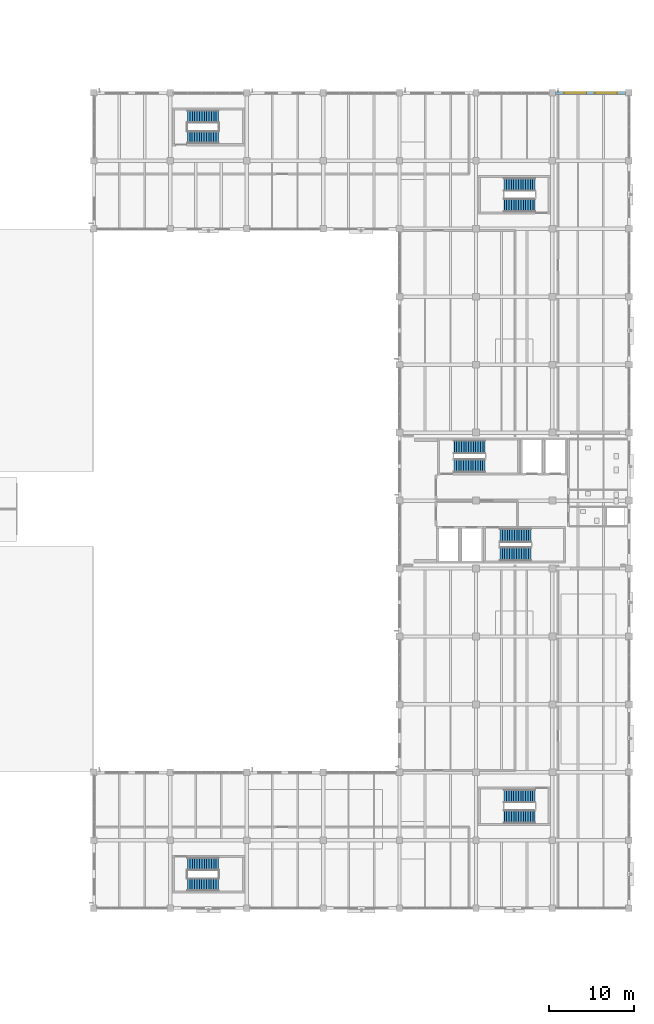
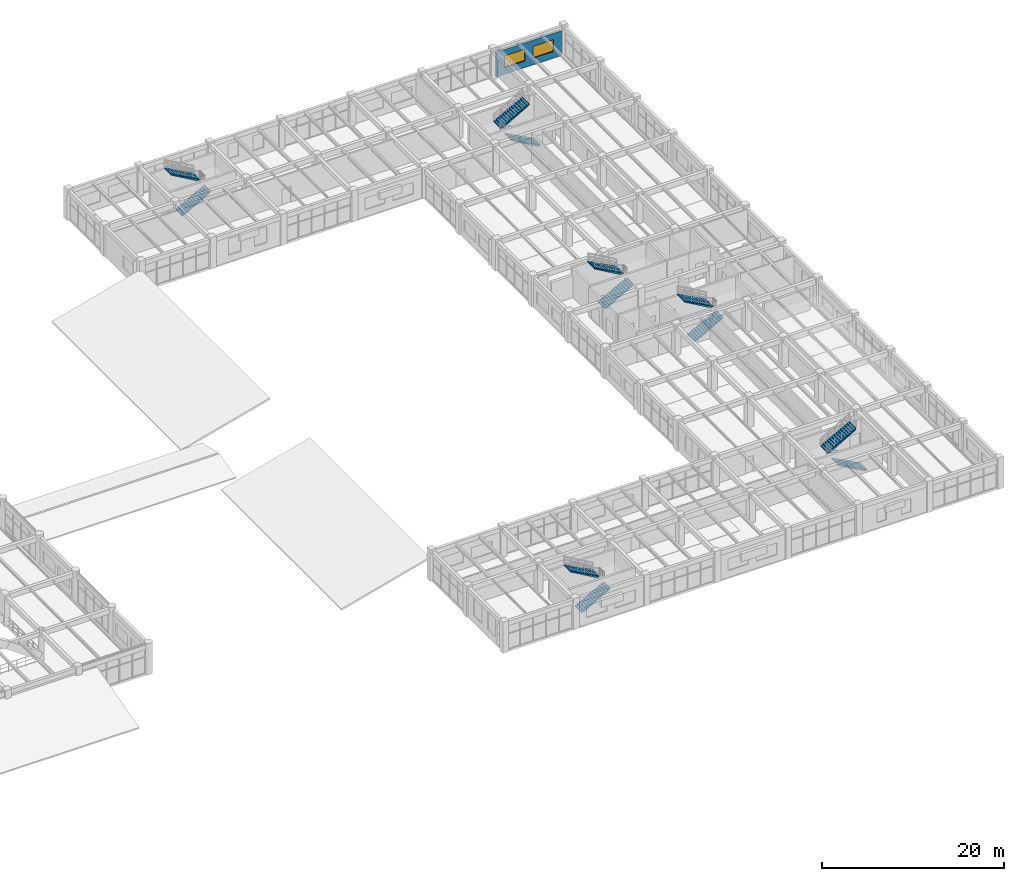
# One storey, part 131 of 148: 12 stair flights, 2 windows, 1 wall, 2 openings, 6 elements without a shape of their own.
"""IFC4 building model written with IfcOpenShell, lengths in metres."""

from ifc_helpers import new_model, si_unit, derived_unit, direction, frame, frame_2d, origin, place, context, subcontext, project, spatial, polyline, rectangle, outline, extrude, material, layer, layer_set, type_object, element, fill, aggregate, save


model = new_model("IFC4")

# Units and contexts
model_context = context("Model", 3, precision=1e-05, world=origin(), true_north=direction((0.0, 1.0)))
body_context = subcontext(model_context, "Body", "Model", "MODEL_VIEW")
ifc_project = project(units=[si_unit("LENGTHUNIT", "METRE"), si_unit("AREAUNIT", "SQUARE_METRE"), si_unit("VOLUMEUNIT", "CUBIC_METRE"), si_unit("PLANEANGLEUNIT", "RADIAN"), si_unit("MASSUNIT", "GRAM", prefix="KILO"), derived_unit("THERMALTRANSMITTANCEUNIT", [(si_unit("MASSUNIT", "GRAM", prefix="KILO"), 1), (si_unit("TIMEUNIT", "SECOND"), -3), (si_unit("THERMODYNAMICTEMPERATUREUNIT", "KELVIN"), -1)])], contexts=[model_context])

# Site, building, storey
site_placement = place(None, origin())
site = spatial("IfcSite", under=ifc_project, at=site_placement, CompositionType="ELEMENT")
building_placement = place(site_placement, origin())
building = spatial("IfcBuilding", under=site, at=building_placement, Name="Zhenchuan Archway Interchange", CompositionType="ELEMENT")
storey_placement = place(building_placement, frame((0.0, 0.0, 10.199951171875)))
storey = spatial("IfcBuildingStorey", under=building, at=storey_placement, Name="L02", CompositionType="ELEMENT", Elevation=10.199951171875)

# Wall, openings, windows
ifc_material_1 = material(Name="Granite Stone Cladding", Category="masonry")
ifc_layer = layer(ifc_material_1, 0.320068359375)
ifc_layer_set = layer_set([ifc_layer], Name="Granite Stone Cladding")
wall_type = type_object("IfcWallType", Name="EW_GRANITE_320", PredefinedType="STANDARD", material=ifc_layer_set)
wall_placement = place(storey_placement, frame((162.373046875, 104.0, 0.0), z_axis=(0.0, 0.0, 1.0), x_axis=(1.0, 0.0, 0.0)))
wall = element("IfcWall", 1, at=wall_placement, inside=storey, type_object=wall_type, Name="Exterior wall L02-085", PredefinedType="STANDARD", context=body_context, shape_type="SweptSolid", body=[
    extrude(rectangle(XDim=8.25390625, YDim=0.320068359375, at=frame_2d((4.126953125, 0.0))), origin(), (0.0, 0.0, 1.0), 3.320068359375),
])
opening_1_placement = place(wall_placement, frame((1.01806640625, 0.0, 0.89990234375)))
opening_1 = element("IfcOpeningElement", 2, at=opening_1_placement, cuts=wall, Name="Opening W-09", PredefinedType="OPENING", context=body_context, shape_type="SweptSolid", body=[
    extrude(rectangle(XDim=2.60009765625, YDim=1.60009765625, at=frame_2d((1.300048828125, 0.800048828125))), frame((0.0, 0.171875, 0.0), z_axis=(0.0, -1.0, 0.0), x_axis=(1.0, 0.0, 0.0)), (0.0, 0.0, 1.0), 0.343994140625),
])
opening_2_placement = place(wall_placement, frame((4.635986328125, 0.0, 0.89990234375)))
opening_2 = element("IfcOpeningElement", 3, at=opening_2_placement, cuts=wall, Name="Opening W-09", PredefinedType="OPENING", context=body_context, shape_type="SweptSolid", body=[
    extrude(rectangle(XDim=2.60009765625, YDim=1.60009765625, at=frame_2d((1.300048828125, 0.800048828125))), frame((0.0, 0.171875, 0.0), z_axis=(0.0, -1.0, 0.0), x_axis=(1.0, 0.0, 0.0)), (0.0, 0.0, 1.0), 0.343994140625),
])
ifc_material_2 = material(Name="Double Low-E Insulated Glazing", Category="glass")
window_type = type_object("IfcWindowType", Name="WN_MOD_2600x1600", PartitioningType="SINGLE_PANEL", PredefinedType="WINDOW", material=ifc_material_2)
window_1_placement = place(opening_1_placement, origin())
window_1 = element("IfcWindow", 4, at=window_1_placement, inside=storey, type_object=window_type, Name="Window L02-0231", OverallHeight=1.60009765625, OverallWidth=2.60009765625, PartitioningType="SINGLE_PANEL", PredefinedType="WINDOW", context=body_context, shape_type="SweptSolid", body=[
    extrude(rectangle(XDim=2.60009765625, YDim=1.60009765625, at=frame_2d((1.300048828125, 0.800048828125))), frame((0.0, 0.030029296875, 0.0), z_axis=(0.0, -1.0, 0.0), x_axis=(1.0, 0.0, 0.0)), (0.0, 0.0, 1.0), 0.06005859375),
])
fill(opening_1, window_1)
window_2_placement = place(opening_2_placement, origin())
window_2 = element("IfcWindow", 5, at=window_2_placement, inside=storey, type_object=window_type, Name="Window L02-0232", OverallHeight=1.60009765625, OverallWidth=2.60009765625, PartitioningType="SINGLE_PANEL", PredefinedType="WINDOW", context=body_context, shape_type="SweptSolid", body=[
    extrude(rectangle(XDim=2.60009765625, YDim=1.60009765625, at=frame_2d((1.300048828125, 0.800048828125))), frame((0.0, 0.030029296875, 0.0), z_axis=(0.0, -1.0, 0.0), x_axis=(1.0, 0.0, 0.0)), (0.0, 0.0, 1.0), 0.06005859375),
])
fill(opening_2, window_2)

# Stair, stair flights
ifc_material_3 = material(Name="Concrete C35", Category="concrete")
stair_type_1 = type_object("IfcStairType", Name="STR_HALF_1450", PredefinedType="HALF_TURN_STAIR", material=ifc_material_3)
stair_1_placement = place(storey_placement, origin())
stair_1 = element("IfcStair", 6, at=stair_1_placement, inside=storey, type_object=stair_type_1, Name="Stair ST-O5 (L02)", PredefinedType="HALF_TURN_STAIR")
stair_flight_type_1 = type_object("IfcStairFlightType", Name="SFL_1450", PredefinedType="STRAIGHT", material=ifc_material_3)
stair_flight_1_placement = place(storey_placement, frame((119.0244140625, 10.7900390625, 0.0), z_axis=(0.0, 0.0, 1.0), x_axis=(1.0, 0.0, 0.0)))
stair_flight_1 = element("IfcStairFlight", 7, at=stair_flight_1_placement, type_object=stair_flight_type_1, Name="Stair ST-O5 lower flight (L02)", NumberOfRisers=14, NumberOfTreads=13, PredefinedType="STRAIGHT", RiserHeight=0.15, TreadLength=0.28, context=body_context, shape_type="SweptSolid", body=[
    extrude(outline(polyline([(0.0, 0.0), (0.0, 0.14990234375), (0.280029296875, 0.14990234375), (0.280029296875, 0.300048828125), (0.56005859375, 0.300048828125), (0.56005859375, 0.449951171875), (0.840087890625, 0.449951171875), (0.840087890625, 0.60009765625), (1.1201171875, 0.60009765625), (1.1201171875, 0.75), (1.39990234375, 0.75), (1.39990234375, 0.89990234375), (1.679931640625, 0.89990234375), (1.679931640625, 1.050048828125), (1.9599609375, 1.050048828125), (1.9599609375, 1.199951171875), (2.239990234375, 1.199951171875), (2.239990234375, 1.35009765625), (2.52001953125, 1.35009765625), (2.52001953125, 1.5), (2.800048828125, 1.5), (2.800048828125, 1.64990234375), (3.080078125, 1.64990234375), (3.080078125, 1.800048828125), (3.360107421875, 1.800048828125), (3.360107421875, 1.949951171875), (3.639892578125, 1.949951171875), (3.639892578125, 2.10009765625), (3.6611328125, 2.10009765625), (3.6611328125, 1.89599609375), (0.381103515625, 0.0), (0.0, 0.0)])), frame((0.0, 0.72509765625, 0.0), z_axis=(0.0, -1.0, 0.0), x_axis=(1.0, 0.0, 0.0)), (0.0, 0.0, 1.0), 1.449951171875),
])
stair_flight_2_placement = place(storey_placement, frame((122.685546875, 13.2099609375, 2.10009765625), z_axis=(0.0, 0.0, 1.0), x_axis=(-1.0, 0.0, 0.0)))
stair_flight_2 = element("IfcStairFlight", 8, at=stair_flight_2_placement, type_object=stair_flight_type_1, Name="Stair ST-O5 upper flight (L02)", NumberOfRisers=14, NumberOfTreads=13, PredefinedType="STRAIGHT", RiserHeight=0.15, TreadLength=0.28, context=body_context, shape_type="SweptSolid", body=[
    extrude(outline(polyline([(0.0, 0.0), (0.0, 0.14990234375), (0.280029296875, 0.14990234375), (0.280029296875, 0.300048828125), (0.56005859375, 0.300048828125), (0.56005859375, 0.449951171875), (0.840087890625, 0.449951171875), (0.840087890625, 0.60009765625), (1.1201171875, 0.60009765625), (1.1201171875, 0.75), (1.39990234375, 0.75), (1.39990234375, 0.89990234375), (1.679931640625, 0.89990234375), (1.679931640625, 1.050048828125), (1.9599609375, 1.050048828125), (1.9599609375, 1.199951171875), (2.239990234375, 1.199951171875), (2.239990234375, 1.35009765625), (2.52001953125, 1.35009765625), (2.52001953125, 1.5), (2.800048828125, 1.5), (2.800048828125, 1.64990234375), (3.080078125, 1.64990234375), (3.080078125, 1.800048828125), (3.360107421875, 1.800048828125), (3.360107421875, 1.949951171875), (3.639892578125, 1.949951171875), (3.639892578125, 2.10009765625), (3.6611328125, 2.10009765625), (3.6611328125, 1.89599609375), (0.381103515625, 0.0), (0.0, 0.0)])), frame((0.0, 0.72509765625, 0.0), z_axis=(0.0, -1.0, 0.0), x_axis=(1.0, 0.0, 0.0)), (0.0, 0.0, 1.0), 1.449951171875),
])
aggregate(stair_1, [stair_flight_1, stair_flight_2])

stair_2_placement = place(storey_placement, origin())
stair_2 = element("IfcStair", 9, at=stair_2_placement, inside=storey, type_object=stair_type_1, Name="Stair ST-O6 (L02)", PredefinedType="HALF_TURN_STAIR")
stair_flight_3_placement = place(storey_placement, frame((119.0244140625, 98.7900390625, 0.0), z_axis=(0.0, 0.0, 1.0), x_axis=(1.0, 0.0, 0.0)))
stair_flight_3 = element("IfcStairFlight", 10, at=stair_flight_3_placement, type_object=stair_flight_type_1, Name="Stair ST-O6 lower flight (L02)", NumberOfRisers=14, NumberOfTreads=13, PredefinedType="STRAIGHT", RiserHeight=0.15, TreadLength=0.28, context=body_context, shape_type="SweptSolid", body=[
    extrude(outline(polyline([(0.0, 0.0), (0.0, 0.14990234375), (0.280029296875, 0.14990234375), (0.280029296875, 0.300048828125), (0.56005859375, 0.300048828125), (0.56005859375, 0.449951171875), (0.840087890625, 0.449951171875), (0.840087890625, 0.60009765625), (1.1201171875, 0.60009765625), (1.1201171875, 0.75), (1.39990234375, 0.75), (1.39990234375, 0.89990234375), (1.679931640625, 0.89990234375), (1.679931640625, 1.050048828125), (1.9599609375, 1.050048828125), (1.9599609375, 1.199951171875), (2.239990234375, 1.199951171875), (2.239990234375, 1.35009765625), (2.52001953125, 1.35009765625), (2.52001953125, 1.5), (2.800048828125, 1.5), (2.800048828125, 1.64990234375), (3.080078125, 1.64990234375), (3.080078125, 1.800048828125), (3.360107421875, 1.800048828125), (3.360107421875, 1.949951171875), (3.639892578125, 1.949951171875), (3.639892578125, 2.10009765625), (3.6611328125, 2.10009765625), (3.6611328125, 1.89599609375), (0.381103515625, 0.0), (0.0, 0.0)])), frame((0.0, 0.72509765625, 0.0), z_axis=(0.0, -1.0, 0.0), x_axis=(1.0, 0.0, 0.0)), (0.0, 0.0, 1.0), 1.449951171875),
])
stair_flight_4_placement = place(storey_placement, frame((122.685546875, 101.2099609375, 2.10009765625), z_axis=(0.0, 0.0, 1.0), x_axis=(-1.0, 0.0, 0.0)))
stair_flight_4 = element("IfcStairFlight", 11, at=stair_flight_4_placement, type_object=stair_flight_type_1, Name="Stair ST-O6 upper flight (L02)", NumberOfRisers=14, NumberOfTreads=13, PredefinedType="STRAIGHT", RiserHeight=0.15, TreadLength=0.28, context=body_context, shape_type="SweptSolid", body=[
    extrude(outline(polyline([(0.0, 0.0), (0.0, 0.14990234375), (0.280029296875, 0.14990234375), (0.280029296875, 0.300048828125), (0.56005859375, 0.300048828125), (0.56005859375, 0.449951171875), (0.840087890625, 0.449951171875), (0.840087890625, 0.60009765625), (1.1201171875, 0.60009765625), (1.1201171875, 0.75), (1.39990234375, 0.75), (1.39990234375, 0.89990234375), (1.679931640625, 0.89990234375), (1.679931640625, 1.050048828125), (1.9599609375, 1.050048828125), (1.9599609375, 1.199951171875), (2.239990234375, 1.199951171875), (2.239990234375, 1.35009765625), (2.52001953125, 1.35009765625), (2.52001953125, 1.5), (2.800048828125, 1.5), (2.800048828125, 1.64990234375), (3.080078125, 1.64990234375), (3.080078125, 1.800048828125), (3.360107421875, 1.800048828125), (3.360107421875, 1.949951171875), (3.639892578125, 1.949951171875), (3.639892578125, 2.10009765625), (3.6611328125, 2.10009765625), (3.6611328125, 1.89599609375), (0.381103515625, 0.0), (0.0, 0.0)])), frame((0.0, 0.72509765625, 0.0), z_axis=(0.0, -1.0, 0.0), x_axis=(1.0, 0.0, 0.0)), (0.0, 0.0, 1.0), 1.449951171875),
])
aggregate(stair_2, [stair_flight_3, stair_flight_4])

stair_type_2 = type_object("IfcStairType", Name="STR_HALF_1550", PredefinedType="HALF_TURN_STAIR", material=ifc_material_3)
stair_3_placement = place(storey_placement, origin())
stair_3 = element("IfcStair", 12, at=stair_3_placement, inside=storey, type_object=stair_type_2, Name="Stair ST-O1 (L02)", PredefinedType="HALF_TURN_STAIR")
stair_flight_type_2 = type_object("IfcStairFlightType", Name="SFL_1550", PredefinedType="STRAIGHT", material=ifc_material_3)
stair_flight_5_placement = place(storey_placement, frame((150.42431640625, 60.090087890625, 0.0), z_axis=(0.0, 0.0, 1.0), x_axis=(1.0, 0.0, 0.0)))
stair_flight_5 = element("IfcStairFlight", 13, at=stair_flight_5_placement, type_object=stair_flight_type_2, Name="Stair ST-O1 lower flight (L02)", NumberOfRisers=14, NumberOfTreads=13, PredefinedType="STRAIGHT", RiserHeight=0.15, TreadLength=0.28, context=body_context, shape_type="SweptSolid", body=[
    extrude(outline(polyline([(0.0, 0.0), (0.0, 0.14990234375), (0.280029296875, 0.14990234375), (0.280029296875, 0.300048828125), (0.56005859375, 0.300048828125), (0.56005859375, 0.449951171875), (0.840087890625, 0.449951171875), (0.840087890625, 0.60009765625), (1.1201171875, 0.60009765625), (1.1201171875, 0.75), (1.39990234375, 0.75), (1.39990234375, 0.89990234375), (1.679931640625, 0.89990234375), (1.679931640625, 1.050048828125), (1.9599609375, 1.050048828125), (1.9599609375, 1.199951171875), (2.239990234375, 1.199951171875), (2.239990234375, 1.35009765625), (2.52001953125, 1.35009765625), (2.52001953125, 1.5), (2.800048828125, 1.5), (2.800048828125, 1.64990234375), (3.080078125, 1.64990234375), (3.080078125, 1.800048828125), (3.360107421875, 1.800048828125), (3.360107421875, 1.949951171875), (3.639892578125, 1.949951171875), (3.639892578125, 2.10009765625), (3.6611328125, 2.10009765625), (3.6611328125, 1.89599609375), (0.381103515625, 0.0), (0.0, 0.0)])), frame((0.0, 0.77490234375, 0.0), z_axis=(0.0, -1.0, 0.0), x_axis=(1.0, 0.0, 0.0)), (0.0, 0.0, 1.0), 1.550048828125),
])
stair_flight_6_placement = place(storey_placement, frame((154.085693359375, 62.31005859375, 2.10009765625), z_axis=(0.0, 0.0, 1.0), x_axis=(-1.0, 0.0, 0.0)))
stair_flight_6 = element("IfcStairFlight", 14, at=stair_flight_6_placement, type_object=stair_flight_type_2, Name="Stair ST-O1 upper flight (L02)", NumberOfRisers=14, NumberOfTreads=13, PredefinedType="STRAIGHT", RiserHeight=0.15, TreadLength=0.28, context=body_context, shape_type="SweptSolid", body=[
    extrude(outline(polyline([(0.0, 0.0), (0.0, 0.14990234375), (0.280029296875, 0.14990234375), (0.280029296875, 0.300048828125), (0.56005859375, 0.300048828125), (0.56005859375, 0.449951171875), (0.840087890625, 0.449951171875), (0.840087890625, 0.60009765625), (1.1201171875, 0.60009765625), (1.1201171875, 0.75), (1.39990234375, 0.75), (1.39990234375, 0.89990234375), (1.679931640625, 0.89990234375), (1.679931640625, 1.050048828125), (1.9599609375, 1.050048828125), (1.9599609375, 1.199951171875), (2.239990234375, 1.199951171875), (2.239990234375, 1.35009765625), (2.52001953125, 1.35009765625), (2.52001953125, 1.5), (2.800048828125, 1.5), (2.800048828125, 1.64990234375), (3.080078125, 1.64990234375), (3.080078125, 1.800048828125), (3.360107421875, 1.800048828125), (3.360107421875, 1.949951171875), (3.639892578125, 1.949951171875), (3.639892578125, 2.10009765625), (3.6611328125, 2.10009765625), (3.6611328125, 1.89599609375), (0.381103515625, 0.0), (0.0, 0.0)])), frame((0.0, 0.77490234375, 0.0), z_axis=(0.0, -1.0, 0.0), x_axis=(1.0, 0.0, 0.0)), (0.0, 0.0, 1.0), 1.550048828125),
])
aggregate(stair_3, [stair_flight_5, stair_flight_6])

stair_4_placement = place(storey_placement, origin())
stair_4 = element("IfcStair", 15, at=stair_4_placement, inside=storey, type_object=stair_type_2, Name="Stair ST-O3 (L02)", PredefinedType="HALF_TURN_STAIR")
stair_flight_7_placement = place(storey_placement, frame((159.9755859375, 90.7900390625, 0.0), z_axis=(0.0, 0.0, 1.0), x_axis=(-1.0, 0.0, 0.0)))
stair_flight_7 = element("IfcStairFlight", 16, at=stair_flight_7_placement, type_object=stair_flight_type_2, Name="Stair ST-O3 lower flight (L02)", NumberOfRisers=14, NumberOfTreads=13, PredefinedType="STRAIGHT", RiserHeight=0.15, TreadLength=0.28, context=body_context, shape_type="SweptSolid", body=[
    extrude(outline(polyline([(0.0, 0.0), (0.0, 0.14990234375), (0.280029296875, 0.14990234375), (0.280029296875, 0.300048828125), (0.56005859375, 0.300048828125), (0.56005859375, 0.449951171875), (0.840087890625, 0.449951171875), (0.840087890625, 0.60009765625), (1.1201171875, 0.60009765625), (1.1201171875, 0.75), (1.39990234375, 0.75), (1.39990234375, 0.89990234375), (1.679931640625, 0.89990234375), (1.679931640625, 1.050048828125), (1.9599609375, 1.050048828125), (1.9599609375, 1.199951171875), (2.239990234375, 1.199951171875), (2.239990234375, 1.35009765625), (2.52001953125, 1.35009765625), (2.52001953125, 1.5), (2.800048828125, 1.5), (2.800048828125, 1.64990234375), (3.080078125, 1.64990234375), (3.080078125, 1.800048828125), (3.360107421875, 1.800048828125), (3.360107421875, 1.949951171875), (3.639892578125, 1.949951171875), (3.639892578125, 2.10009765625), (3.6611328125, 2.10009765625), (3.6611328125, 1.89599609375), (0.381103515625, 0.0), (0.0, 0.0)])), frame((0.0, 0.77490234375, 0.0), z_axis=(0.0, -1.0, 0.0), x_axis=(1.0, 0.0, 0.0)), (0.0, 0.0, 1.0), 1.550048828125),
])
stair_flight_8_placement = place(storey_placement, frame((156.314453125, 93.2099609375, 2.10009765625), z_axis=(0.0, 0.0, 1.0), x_axis=(1.0, 0.0, 0.0)))
stair_flight_8 = element("IfcStairFlight", 17, at=stair_flight_8_placement, type_object=stair_flight_type_2, Name="Stair ST-O3 upper flight (L02)", NumberOfRisers=14, NumberOfTreads=13, PredefinedType="STRAIGHT", RiserHeight=0.15, TreadLength=0.28, context=body_context, shape_type="SweptSolid", body=[
    extrude(outline(polyline([(0.0, 0.0), (0.0, 0.14990234375), (0.280029296875, 0.14990234375), (0.280029296875, 0.300048828125), (0.56005859375, 0.300048828125), (0.56005859375, 0.449951171875), (0.840087890625, 0.449951171875), (0.840087890625, 0.60009765625), (1.1201171875, 0.60009765625), (1.1201171875, 0.75), (1.39990234375, 0.75), (1.39990234375, 0.89990234375), (1.679931640625, 0.89990234375), (1.679931640625, 1.050048828125), (1.9599609375, 1.050048828125), (1.9599609375, 1.199951171875), (2.239990234375, 1.199951171875), (2.239990234375, 1.35009765625), (2.52001953125, 1.35009765625), (2.52001953125, 1.5), (2.800048828125, 1.5), (2.800048828125, 1.64990234375), (3.080078125, 1.64990234375), (3.080078125, 1.800048828125), (3.360107421875, 1.800048828125), (3.360107421875, 1.949951171875), (3.639892578125, 1.949951171875), (3.639892578125, 2.10009765625), (3.6611328125, 2.10009765625), (3.6611328125, 1.89599609375), (0.381103515625, 0.0), (0.0, 0.0)])), frame((0.0, 0.77490234375, 0.0), z_axis=(0.0, -1.0, 0.0), x_axis=(1.0, 0.0, 0.0)), (0.0, 0.0, 1.0), 1.550048828125),
])
aggregate(stair_4, [stair_flight_7, stair_flight_8])

stair_5_placement = place(storey_placement, origin())
stair_5 = element("IfcStair", 18, at=stair_5_placement, inside=storey, type_object=stair_type_2, Name="Stair ST-O4 (L02)", PredefinedType="HALF_TURN_STAIR")
stair_flight_9_placement = place(storey_placement, frame((159.9755859375, 18.7900390625, 0.0), z_axis=(0.0, 0.0, 1.0), x_axis=(-1.0, 0.0, 0.0)))
stair_flight_9 = element("IfcStairFlight", 19, at=stair_flight_9_placement, type_object=stair_flight_type_2, Name="Stair ST-O4 lower flight (L02)", NumberOfRisers=14, NumberOfTreads=13, PredefinedType="STRAIGHT", RiserHeight=0.15, TreadLength=0.28, context=body_context, shape_type="SweptSolid", body=[
    extrude(outline(polyline([(0.0, 0.0), (0.0, 0.14990234375), (0.280029296875, 0.14990234375), (0.280029296875, 0.300048828125), (0.56005859375, 0.300048828125), (0.56005859375, 0.449951171875), (0.840087890625, 0.449951171875), (0.840087890625, 0.60009765625), (1.1201171875, 0.60009765625), (1.1201171875, 0.75), (1.39990234375, 0.75), (1.39990234375, 0.89990234375), (1.679931640625, 0.89990234375), (1.679931640625, 1.050048828125), (1.9599609375, 1.050048828125), (1.9599609375, 1.199951171875), (2.239990234375, 1.199951171875), (2.239990234375, 1.35009765625), (2.52001953125, 1.35009765625), (2.52001953125, 1.5), (2.800048828125, 1.5), (2.800048828125, 1.64990234375), (3.080078125, 1.64990234375), (3.080078125, 1.800048828125), (3.360107421875, 1.800048828125), (3.360107421875, 1.949951171875), (3.639892578125, 1.949951171875), (3.639892578125, 2.10009765625), (3.6611328125, 2.10009765625), (3.6611328125, 1.89599609375), (0.381103515625, 0.0), (0.0, 0.0)])), frame((0.0, 0.77490234375, 0.0), z_axis=(0.0, -1.0, 0.0), x_axis=(1.0, 0.0, 0.0)), (0.0, 0.0, 1.0), 1.550048828125),
])
stair_flight_10_placement = place(storey_placement, frame((156.314453125, 21.2099609375, 2.10009765625), z_axis=(0.0, 0.0, 1.0), x_axis=(1.0, 0.0, 0.0)))
stair_flight_10 = element("IfcStairFlight", 20, at=stair_flight_10_placement, type_object=stair_flight_type_2, Name="Stair ST-O4 upper flight (L02)", NumberOfRisers=14, NumberOfTreads=13, PredefinedType="STRAIGHT", RiserHeight=0.15, TreadLength=0.28, context=body_context, shape_type="SweptSolid", body=[
    extrude(outline(polyline([(0.0, 0.0), (0.0, 0.14990234375), (0.280029296875, 0.14990234375), (0.280029296875, 0.300048828125), (0.56005859375, 0.300048828125), (0.56005859375, 0.449951171875), (0.840087890625, 0.449951171875), (0.840087890625, 0.60009765625), (1.1201171875, 0.60009765625), (1.1201171875, 0.75), (1.39990234375, 0.75), (1.39990234375, 0.89990234375), (1.679931640625, 0.89990234375), (1.679931640625, 1.050048828125), (1.9599609375, 1.050048828125), (1.9599609375, 1.199951171875), (2.239990234375, 1.199951171875), (2.239990234375, 1.35009765625), (2.52001953125, 1.35009765625), (2.52001953125, 1.5), (2.800048828125, 1.5), (2.800048828125, 1.64990234375), (3.080078125, 1.64990234375), (3.080078125, 1.800048828125), (3.360107421875, 1.800048828125), (3.360107421875, 1.949951171875), (3.639892578125, 1.949951171875), (3.639892578125, 2.10009765625), (3.6611328125, 2.10009765625), (3.6611328125, 1.89599609375), (0.381103515625, 0.0), (0.0, 0.0)])), frame((0.0, 0.77490234375, 0.0), z_axis=(0.0, -1.0, 0.0), x_axis=(1.0, 0.0, 0.0)), (0.0, 0.0, 1.0), 1.550048828125),
])
aggregate(stair_5, [stair_flight_9, stair_flight_10])

stair_type_3 = type_object("IfcStairType", Name="STR_HALF_1600", PredefinedType="HALF_TURN_STAIR", material=ifc_material_3)
stair_6_placement = place(storey_placement, origin())
stair_6 = element("IfcStair", 21, at=stair_6_placement, inside=storey, type_object=stair_type_3, Name="Stair ST-O2 (L02)", PredefinedType="HALF_TURN_STAIR")
stair_flight_type_3 = type_object("IfcStairFlightType", Name="SFL_1600", PredefinedType="STRAIGHT", material=ifc_material_3)
stair_flight_11_placement = place(storey_placement, frame((155.824462890625, 49.715087890625, 0.0), z_axis=(0.0, 0.0, 1.0), x_axis=(1.0, 0.0, 0.0)))
stair_flight_11 = element("IfcStairFlight", 22, at=stair_flight_11_placement, type_object=stair_flight_type_3, Name="Stair ST-O2 lower flight (L02)", NumberOfRisers=14, NumberOfTreads=13, PredefinedType="STRAIGHT", RiserHeight=0.15, TreadLength=0.28, context=body_context, shape_type="SweptSolid", body=[
    extrude(outline(polyline([(0.0, 0.0), (0.0, 0.14990234375), (0.280029296875, 0.14990234375), (0.280029296875, 0.300048828125), (0.56005859375, 0.300048828125), (0.56005859375, 0.449951171875), (0.840087890625, 0.449951171875), (0.840087890625, 0.60009765625), (1.1201171875, 0.60009765625), (1.1201171875, 0.75), (1.39990234375, 0.75), (1.39990234375, 0.89990234375), (1.679931640625, 0.89990234375), (1.679931640625, 1.050048828125), (1.9599609375, 1.050048828125), (1.9599609375, 1.199951171875), (2.239990234375, 1.199951171875), (2.239990234375, 1.35009765625), (2.52001953125, 1.35009765625), (2.52001953125, 1.5), (2.800048828125, 1.5), (2.800048828125, 1.64990234375), (3.080078125, 1.64990234375), (3.080078125, 1.800048828125), (3.360107421875, 1.800048828125), (3.360107421875, 1.949951171875), (3.639892578125, 1.949951171875), (3.639892578125, 2.10009765625), (3.6611328125, 2.10009765625), (3.6611328125, 1.89599609375), (0.381103515625, 0.0), (0.0, 0.0)])), frame((0.0, 0.800048828125, 0.0), z_axis=(0.0, -1.0, 0.0), x_axis=(1.0, 0.0, 0.0)), (0.0, 0.0, 1.0), 1.60009765625),
])
stair_flight_12_placement = place(storey_placement, frame((159.485595703125, 51.885009765625, 2.10009765625), z_axis=(0.0, 0.0, 1.0), x_axis=(-1.0, 0.0, 0.0)))
stair_flight_12 = element("IfcStairFlight", 23, at=stair_flight_12_placement, type_object=stair_flight_type_3, Name="Stair ST-O2 upper flight (L02)", NumberOfRisers=14, NumberOfTreads=13, PredefinedType="STRAIGHT", RiserHeight=0.15, TreadLength=0.28, context=body_context, shape_type="SweptSolid", body=[
    extrude(outline(polyline([(0.0, 0.0), (0.0, 0.14990234375), (0.280029296875, 0.14990234375), (0.280029296875, 0.300048828125), (0.56005859375, 0.300048828125), (0.56005859375, 0.449951171875), (0.840087890625, 0.449951171875), (0.840087890625, 0.60009765625), (1.1201171875, 0.60009765625), (1.1201171875, 0.75), (1.39990234375, 0.75), (1.39990234375, 0.89990234375), (1.679931640625, 0.89990234375), (1.679931640625, 1.050048828125), (1.9599609375, 1.050048828125), (1.9599609375, 1.199951171875), (2.239990234375, 1.199951171875), (2.239990234375, 1.35009765625), (2.52001953125, 1.35009765625), (2.52001953125, 1.5), (2.800048828125, 1.5), (2.800048828125, 1.64990234375), (3.080078125, 1.64990234375), (3.080078125, 1.800048828125), (3.360107421875, 1.800048828125), (3.360107421875, 1.949951171875), (3.639892578125, 1.949951171875), (3.639892578125, 2.10009765625), (3.6611328125, 2.10009765625), (3.6611328125, 1.89599609375), (0.381103515625, 0.0), (0.0, 0.0)])), frame((0.0, 0.800048828125, 0.0), z_axis=(0.0, -1.0, 0.0), x_axis=(1.0, 0.0, 0.0)), (0.0, 0.0, 1.0), 1.60009765625),
])
aggregate(stair_6, [stair_flight_11, stair_flight_12])

save(model, "model.ifc")
